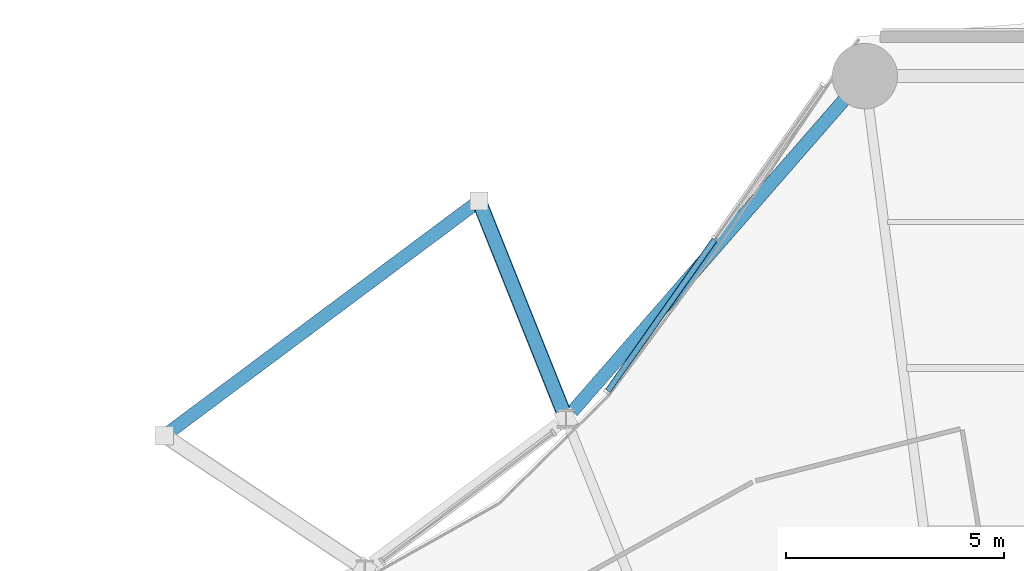
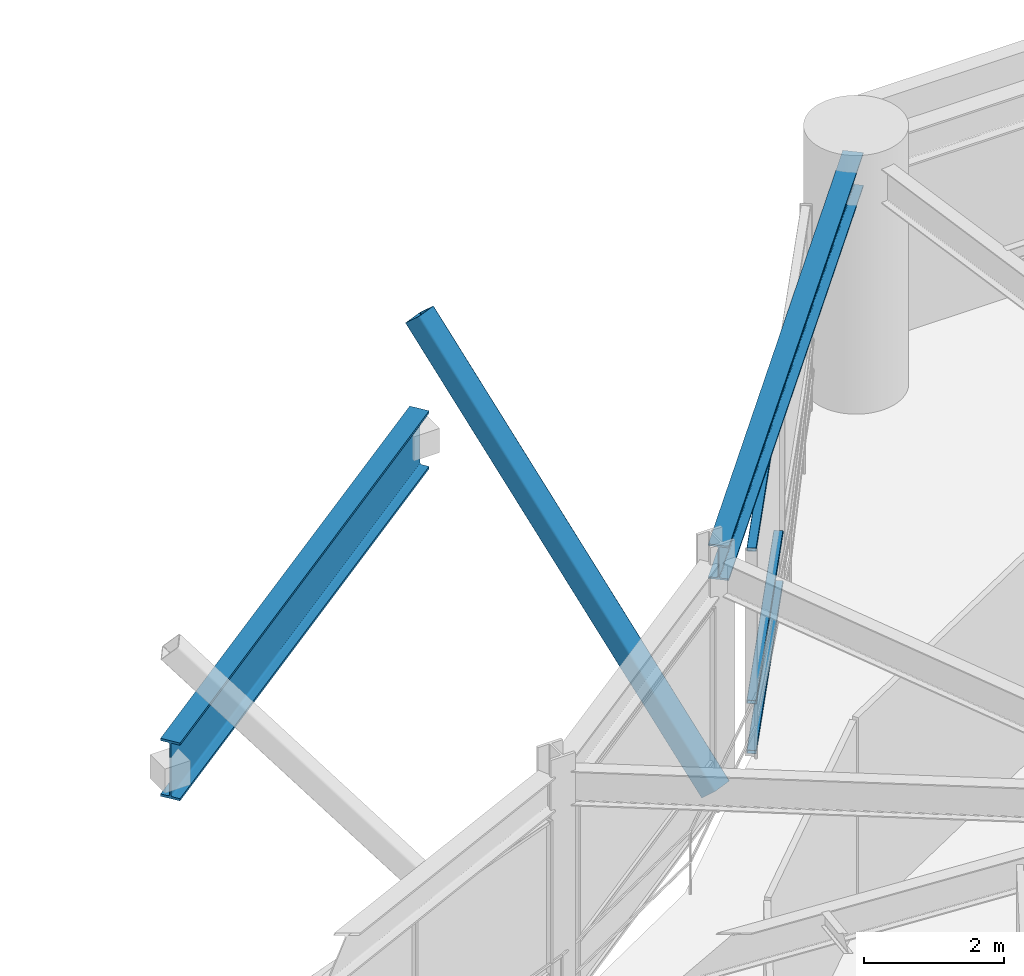
# One storey, part 32 of 55: 4 members, 2 beams, 1 element without a shape of its own.
"""IFC4 building model written with IfcOpenShell, lengths in metres."""

from ifc_helpers import new_model, si_unit, direction, frame, origin, origin_2d, place, context, subcontext, project, spatial, hollow_rectangle, i_section, extrude, material, layer, layer_set, material_profile, profile_set, type_object, element, aggregate, save


model = new_model("IFC4")

# Units and contexts
model_context = context("Model", 3, precision=1e-05, world=origin(), true_north=direction((0.0, 1.0)))
body_context = subcontext(model_context, "Body", "Model", "MODEL_VIEW")
ifc_project = project(units=[si_unit("LENGTHUNIT", "METRE"), si_unit("AREAUNIT", "SQUARE_METRE"), si_unit("VOLUMEUNIT", "CUBIC_METRE"), si_unit("PLANEANGLEUNIT", "RADIAN"), si_unit("MASSUNIT", "GRAM", prefix="KILO")], contexts=[model_context])

# Site, building, storey
site_placement = place(None, origin())
site = spatial("IfcSite", under=ifc_project, at=site_placement, CompositionType="ELEMENT")
building_placement = place(site_placement, origin())
building = spatial("IfcBuilding", under=site, at=building_placement, Name="Kelanora Arch Commons", CompositionType="ELEMENT")
storey_placement = place(building_placement, frame((0.0, 0.0, 4.5)))
storey = spatial("IfcBuildingStorey", under=building, at=storey_placement, Name="L01", CompositionType="ELEMENT", Elevation=4.5)

# Beams
ifc_material_1 = material(Name="Steel S355", Category="steel")
ifc_material_profile_1 = material_profile(ifc_material_1, i_section(OverallWidth=0.302001953125, OverallDepth=1.008056640625, WebThickness=0.02099609375, FlangeThickness=0.0400390625, FilletRadius=0.030029296875, at=origin_2d()), Name="HEM1000")
ifc_profile_set_1 = profile_set([ifc_material_profile_1], Name="Steel S355")
beam_type_1 = type_object("IfcBeamType", Name="BM-ARCH-RIB", PredefinedType="USERDEFINED", material=ifc_profile_set_1)
beam_1_placement = place(storey_placement, frame((60.4599609375, 78.85400390625, 3.89990234375), z_axis=(-0.801467504127, -0.598038326388, 0.0), x_axis=(0.598038326388, -0.801467504127, 0.0)))
element("IfcBeam", 1, at=beam_1_placement, inside=storey, type_object=beam_type_1, Name="Courtyard Portal Arch Rib NW-2", ObjectType="ARCH_RIB", PredefinedType="USERDEFINED", context=body_context, shape_type="SweptSolid", body=[
    extrude(i_section(OverallWidth=0.302001953125, OverallDepth=1.008056640625, WebThickness=0.02099609375, FlangeThickness=0.0400390625, FilletRadius=0.030029296875, at=origin_2d()), origin(), (0.0, 0.0, 1.0), 8.989013671875),
])
ifc_material_profile_2 = material_profile(ifc_material_1, i_section(OverallWidth=0.300048828125, OverallDepth=0.60009765625, WebThickness=0.015380859375, FlangeThickness=0.030029296875, FilletRadius=0.027099609375, at=origin_2d()), Name="HEB600")
ifc_profile_set_2 = profile_set([ifc_material_profile_2], Name="Steel S355")
beam_type_2 = type_object("IfcBeamType", Name="BM-SPN-Z1", PredefinedType="SPANDREL", material=ifc_profile_set_2)
beam_2_placement = place(storey_placement, frame((69.153076171875, 81.54833984375, 3.89990234375), z_axis=(-0.657217586408, -0.753700898311, 0.0), x_axis=(0.753700898311, -0.657217586408, 0.0)))
element("IfcBeam", 2, at=beam_2_placement, inside=storey, type_object=beam_type_2, Name="Perimeter Spandrel Beam BS-10 L01", PredefinedType="SPANDREL", context=body_context, shape_type="SweptSolid", body=[
    extrude(i_section(OverallWidth=0.300048828125, OverallDepth=0.60009765625, WebThickness=0.015380859375, FlangeThickness=0.030029296875, FilletRadius=0.027099609375, at=origin_2d()), origin(), (0.0, 0.0, 1.0), 9.97216796875),
])

# Curtain wall, members
ifc_material_2 = material(Name="Terracotta ceramic-fritted low-E glass and aluminium", Category="masonry")
ifc_layer = layer(ifc_material_2, 0.2099609375)
ifc_layer_set = layer_set([ifc_layer], Name="Terracotta ceramic-fritted low-E glass and aluminium")
curtain_wall_type = type_object("IfcCurtainWallType", Name="CW-SYS-04", PredefinedType="NOTDEFINED", material=ifc_layer_set)
curtain_wall_placement = place(storey_placement, origin())
curtain_wall = element("IfcCurtainWall", 3, at=curtain_wall_placement, inside=storey, type_object=curtain_wall_type, Name="Unitised Curtain Wall L01-B05", PredefinedType="NOTDEFINED")
ifc_material_3 = material(Name="Powder-coated aluminium terracotta", Category="masonry")
ifc_material_profile_3 = material_profile(ifc_material_3, hollow_rectangle(XDim=0.139892578125, YDim=0.06005859375, WallThickness=0.0048828125, InnerFilletRadius=0.0048828125, OuterFilletRadius=0.010009765625, at=origin_2d()), Name="CWT140x60")
ifc_profile_set_3 = profile_set([ifc_material_profile_3], Name="Powder-coated aluminium terracotta")
member_type_1 = type_object("IfcMemberType", Name="CWT-HVY", PredefinedType="USERDEFINED", material=ifc_profile_set_3)
member_1_placement = place(storey_placement, frame((65.856689453125, 77.9677734375, 0.030029296875), z_axis=(-0.576321543943, -0.817223028302, 0.0), x_axis=(0.817223028302, -0.576321543943, 0.0)))
member_1 = element("IfcMember", 4, at=member_1_placement, type_object=member_type_1, Name="CW-04 transom 2.1", ObjectType="TRANSOM", PredefinedType="USERDEFINED", context=body_context, shape_type="SweptSolid", body=[
    extrude(hollow_rectangle(XDim=0.139892578125, YDim=0.06005859375, WallThickness=0.0048828125, InnerFilletRadius=0.0048828125, OuterFilletRadius=0.010009765625, at=origin_2d()), origin(), (0.0, 0.0, 1.0), 4.2412109375),
])
member_2_placement = place(storey_placement, frame((65.856689453125, 77.9677734375, 0.89990234375), z_axis=(-0.576321543943, -0.817223028302, 0.0), x_axis=(0.817223028302, -0.576321543943, 0.0)))
member_2 = element("IfcMember", 5, at=member_2_placement, type_object=member_type_1, Name="CW-04 transom 2.2", ObjectType="TRANSOM", PredefinedType="USERDEFINED", context=body_context, shape_type="SweptSolid", body=[
    extrude(hollow_rectangle(XDim=0.139892578125, YDim=0.06005859375, WallThickness=0.0048828125, InnerFilletRadius=0.0048828125, OuterFilletRadius=0.010009765625, at=origin_2d()), origin(), (0.0, 0.0, 1.0), 4.2412109375),
])
member_3_placement = place(storey_placement, frame((65.856689453125, 77.9677734375, 3.550048828125), z_axis=(-0.576321543943, -0.817223028302, 0.0), x_axis=(0.817223028302, -0.576321543943, 0.0)))
member_3 = element("IfcMember", 6, at=member_3_placement, type_object=member_type_1, Name="CW-04 transom 2.3", ObjectType="TRANSOM", PredefinedType="USERDEFINED", context=body_context, shape_type="SweptSolid", body=[
    extrude(hollow_rectangle(XDim=0.139892578125, YDim=0.06005859375, WallThickness=0.0048828125, InnerFilletRadius=0.0048828125, OuterFilletRadius=0.010009765625, at=origin_2d()), origin(), (0.0, 0.0, 1.0), 4.2412109375),
])
aggregate(curtain_wall, [member_1, member_2, member_3])

# Member
ifc_material_profile_4 = material_profile(ifc_material_1, hollow_rectangle(XDim=0.35009765625, YDim=0.35009765625, WallThickness=0.01611328125, InnerFilletRadius=0.01611328125, OuterFilletRadius=0.031982421875, at=origin_2d()), Name="SHS350x350x16")
ifc_profile_set_4 = profile_set([ifc_material_profile_4], Name="Steel S355")
member_type_2 = type_object("IfcMemberType", Name="MEM-BELT-STRUT", PredefinedType="STRUT", material=ifc_profile_set_4)
member_4_placement = place(storey_placement, frame((62.454345703125, 73.866455078125, 0.10009765625), z_axis=(-0.249033409148, 0.622781676519, 0.741704351153), x_axis=(-0.928517434423, -0.371288801302, 0.0)))
element("IfcMember", 7, at=member_4_placement, inside=storey, type_object=member_type_2, Name="Courtyard Overhang Raking Strut 12", PredefinedType="STRUT", context=body_context, shape_type="SweptSolid", body=[
    extrude(hollow_rectangle(XDim=0.35009765625, YDim=0.35009765625, WallThickness=0.01611328125, InnerFilletRadius=0.01611328125, OuterFilletRadius=0.031982421875, at=origin_2d()), origin(), (0.0, 0.0, 1.0), 8.008544921875),
])

save(model, "model.ifc")
